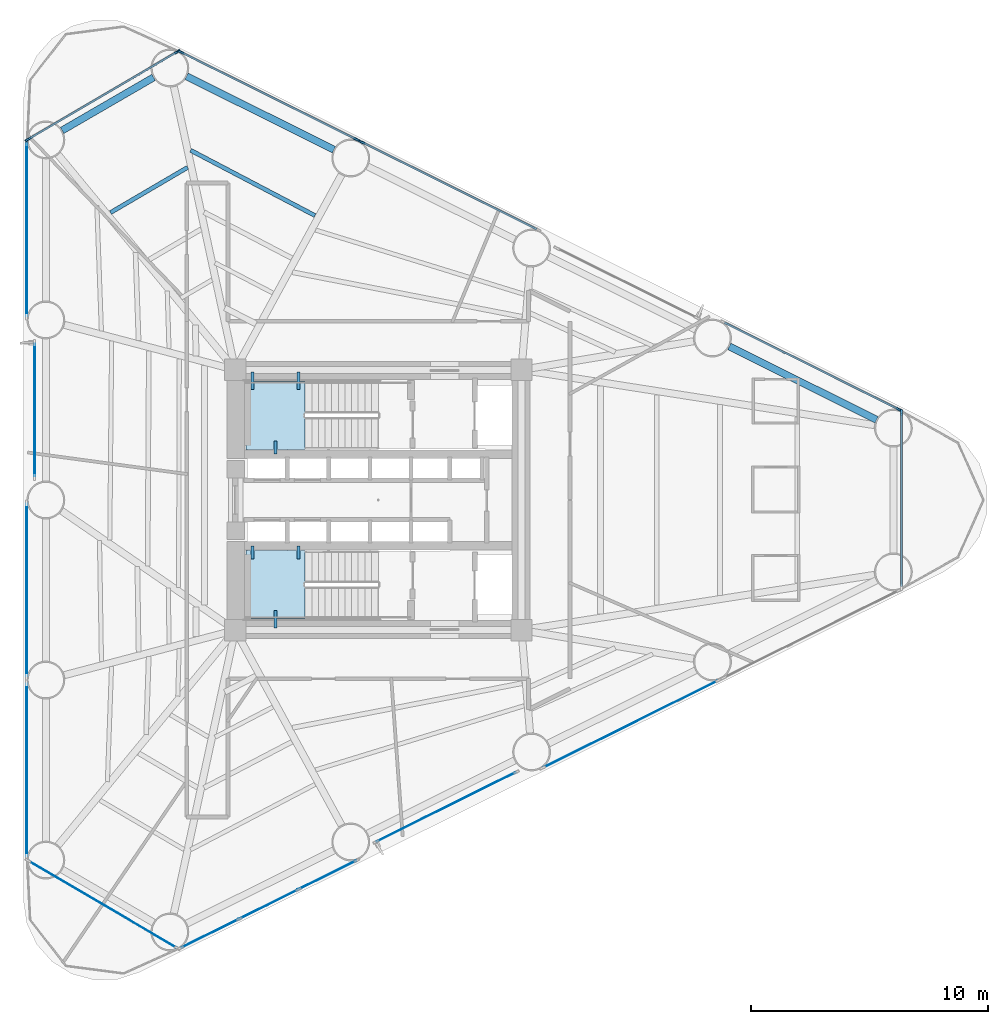
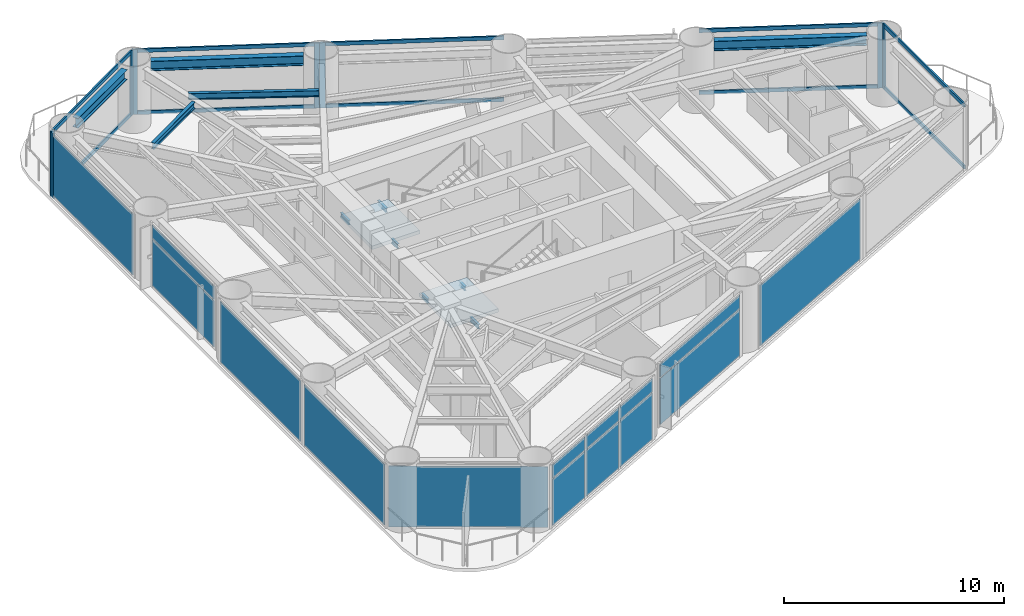
# One storey, part 4 of 10: 18 members, 15 plates, 11 beams, 2 slabs, 15 elements without a shape of their own.
"""IFC4 building model written with IfcOpenShell, lengths in metres."""

from ifc_helpers import new_model, si_unit, direction, frame, origin, origin_2d, place, context, subcontext, project, spatial, polyline, rectangle, i_section, outline, extrude, source, transform, mapped, material, layer, layer_set, material_profile, profile_set, type_object, element, aggregate, save


model = new_model("IFC4")

# Units and contexts
model_context = context("Model", 3, precision=1e-05, world=origin(), true_north=direction((0.0, 1.0)))
body_context = subcontext(model_context, "Body", "Model", "MODEL_VIEW")
ifc_project = project(units=[si_unit("LENGTHUNIT", "METRE"), si_unit("AREAUNIT", "SQUARE_METRE"), si_unit("VOLUMEUNIT", "CUBIC_METRE"), si_unit("PLANEANGLEUNIT", "RADIAN"), si_unit("MASSUNIT", "GRAM", prefix="KILO")], contexts=[model_context])

# Site, building, storey
site_placement = place(None, origin())
site = spatial("IfcSite", under=ifc_project, at=site_placement, CompositionType="ELEMENT")
building_placement = place(site_placement, origin())
building = spatial("IfcBuilding", under=site, at=building_placement, Name="Yunling Apex Tower", CompositionType="ELEMENT")
storey_placement = place(building_placement, frame((0.0, 0.0, 38.60009765625)))
storey = spatial("IfcBuildingStorey", under=building, at=storey_placement, Name="L11", CompositionType="ELEMENT", Elevation=38.60009765625)

# Beams
ifc_material_1 = material(Name="Steel Q355B", Category="steel")
ifc_material_profile_1 = material_profile(ifc_material_1, i_section(OverallWidth=0.125, OverallDepth=0.25, WebThickness=0.006103515625, FlangeThickness=0.009033203125, FilletRadius=0.011962890625, at=origin_2d()))
ifc_profile_set_1 = profile_set([ifc_material_profile_1], Name="Steel Q355B")
beam_type_1 = type_object("IfcBeamType", Name="BL-LNT-1", PredefinedType="LINTEL", material=ifc_profile_set_1)
shared_shape_1 = source(origin(), body_context, "Body", "SweptSolid", [
    extrude(i_section(OverallWidth=0.125, OverallDepth=0.25, WebThickness=0.006103515625, FlangeThickness=0.009033203125, FilletRadius=0.011962890625, at=origin_2d()), origin(), (0.0, 0.0, 1.0), 0.760009765625),
])
for number, where, z_axis, x_axis, name in (
    (1, (-5.320068359375, 5.419921875, 1.52978515625), (0.0, -1.0, 0.0), (1.0, 0.0, 0.0), "L11 ST-1 Landing Bearing Corbel 1-1"),
    (2, (-3.3701171875, 5.419921875, 1.52978515625), (0.0, -1.0, 0.0), (1.0, 0.0, 0.0), "L11 ST-1 Landing Bearing Corbel 1-2"),
    (3, (-4.344970703125, -5.419921875, 1.52978515625), (0.0, 1.0, 0.0), (-1.0, 0.0, 0.0), "L11 ST-2 Landing Bearing Corbel 1-3"),
):
    element("IfcBeam", number, at=place(storey_placement, frame(where, z_axis=z_axis, x_axis=x_axis)), inside=storey, type_object=beam_type_1, Name=name, PredefinedType="LINTEL", context=body_context, shape_type="MappedRepresentation", body=[
        mapped(shared_shape_1, transform((0.0, 0.0, 0.0), scale=1.0)),
    ])
shared_shape_2 = source(origin(), body_context, "Body", "SweptSolid", [
    extrude(i_section(OverallWidth=0.125, OverallDepth=0.25, WebThickness=0.006103515625, FlangeThickness=0.009033203125, FilletRadius=0.011962890625, at=origin_2d()), origin(), (0.0, 0.0, 1.0), 0.550048828125),
])
for number, where, z_axis, x_axis, name in (
    (4, (-4.344970703125, 1.93994140625, 1.52978515625), (0.0, 1.0, 0.0), (-1.0, 0.0, 0.0), "L11 ST-1 Landing Bearing Corbel 1-3"),
    (5, (-5.320068359375, -1.93994140625, 1.52978515625), (0.0, -1.0, 0.0), (1.0, 0.0, 0.0), "L11 ST-2 Landing Bearing Corbel 1-1"),
    (6, (-3.3701171875, -1.93994140625, 1.52978515625), (0.0, -1.0, 0.0), (1.0, 0.0, 0.0), "L11 ST-2 Landing Bearing Corbel 1-2"),
):
    element("IfcBeam", number, at=place(storey_placement, frame(where, z_axis=z_axis, x_axis=x_axis)), inside=storey, type_object=beam_type_1, Name=name, PredefinedType="LINTEL", context=body_context, shape_type="MappedRepresentation", body=[
        mapped(shared_shape_2, transform((0.0, 0.0, 0.0), scale=1.0)),
    ])
ifc_material_profile_2 = material_profile(ifc_material_1, i_section(OverallWidth=0.300048828125, OverallDepth=0.5400390625, WebThickness=0.011962890625, FlangeThickness=0.02001953125, FilletRadius=0.02392578125, at=origin_2d()))
ifc_profile_set_2 = profile_set([ifc_material_profile_2], Name="Steel Q355B")
beam_type_2 = type_object("IfcBeamType", Name="BP-SPN-1", PredefinedType="SPANDREL", material=ifc_profile_set_2)
shared_shape_3 = source(origin(), body_context, "Body", "SweptSolid", [
    extrude(i_section(OverallWidth=0.300048828125, OverallDepth=0.5400390625, WebThickness=0.011962890625, FlangeThickness=0.02001953125, FilletRadius=0.02392578125, at=origin_2d()), origin(), (0.0, 0.0, 1.0), 6.950927734375),
])
for number, where, z_axis, x_axis, name in (
    (7, (21.055419921875, 3.392578125, 3.244873046875), (-0.895247556401, 0.445569088646, 0.0), (-0.445569088646, -0.895247556401, 0.0), "L11 Perimeter Spandrel Beam 6"),
    (8, (-1.8779296875, 14.806884765625, 3.244873046875), (-0.89524058306, 0.445583099368, 0.0), (-0.445583099368, -0.89524058306, 0.0), "L11 Perimeter Spandrel Beam 9"),
):
    element("IfcBeam", number, at=place(storey_placement, frame(where, z_axis=z_axis, x_axis=x_axis)), inside=storey, type_object=beam_type_2, Name=name, PredefinedType="SPANDREL", context=body_context, shape_type="MappedRepresentation", body=[
        mapped(shared_shape_3, transform((0.0, 0.0, 0.0), scale=1.0)),
    ])
shared_shape_4 = source(origin(), body_context, "Body", "SweptSolid", [
    extrude(i_section(OverallWidth=0.300048828125, OverallDepth=0.5400390625, WebThickness=0.011962890625, FlangeThickness=0.02001953125, FilletRadius=0.02392578125, at=origin_2d()), origin(), (0.0, 0.0, 1.0), 4.469970703125),
])
beam_1_placement = place(storey_placement, frame((-9.498291015625, 17.859619140625, 3.244873046875), z_axis=(-0.865055841155, -0.501675584102, 0.0), x_axis=(0.501675584102, -0.865055841155, 0.0)))
element("IfcBeam", 9, at=beam_1_placement, inside=storey, type_object=beam_type_2, Name="L11 Perimeter Spandrel Beam 10", PredefinedType="SPANDREL", context=body_context, shape_type="MappedRepresentation", body=[
    mapped(shared_shape_4, transform((0.0, 0.0, 0.0), scale=1.0)),
])
ifc_material_profile_3 = material_profile(ifc_material_1, i_section(OverallWidth=0.175048828125, OverallDepth=0.35009765625, WebThickness=0.007080078125, FlangeThickness=0.010986328125, FilletRadius=0.013916015625, at=origin_2d()))
ifc_profile_set_3 = profile_set([ifc_material_profile_3], Name="Steel Q355B")
beam_type_3 = type_object("IfcBeamType", Name="BJ-JST-1", PredefinedType="JOIST", material=ifc_profile_set_3)
shared_shape_5 = source(origin(), body_context, "Body", "SweptSolid", [
    extrude(i_section(OverallWidth=0.175048828125, OverallDepth=0.35009765625, WebThickness=0.007080078125, FlangeThickness=0.010986328125, FilletRadius=0.013916015625, at=origin_2d()), origin(), (0.0, 0.0, 1.0), 5.935791015625),
])
beam_2_placement = place(storey_placement, frame((-2.676513671875, 12.02001953125, 3.33984375), z_axis=(-0.885494794786, 0.464649296144, 0.0), x_axis=(-0.464649296144, -0.885494794786, 0.0)))
element("IfcBeam", 10, at=beam_2_placement, inside=storey, type_object=beam_type_3, Name="L11 Composite Floor Joist BJ1-9", PredefinedType="JOIST", context=body_context, shape_type="MappedRepresentation", body=[
    mapped(shared_shape_5, transform((0.0, 0.0, 0.0), scale=1.0)),
])
shared_shape_6 = source(origin(), body_context, "Body", "SweptSolid", [
    extrude(i_section(OverallWidth=0.175048828125, OverallDepth=0.35009765625, WebThickness=0.007080078125, FlangeThickness=0.010986328125, FilletRadius=0.013916015625, at=origin_2d()), origin(), (0.0, 0.0, 1.0), 3.77880859375),
])
beam_3_placement = place(storey_placement, frame((-8.05810546875, 14.05810546875, 3.33984375), z_axis=(-0.862642562353, -0.50581400694, 0.0), x_axis=(0.50581400694, -0.862642562353, 0.0)))
element("IfcBeam", 11, at=beam_3_placement, inside=storey, type_object=beam_type_3, Name="L11 Composite Floor Joist BJ1-10", PredefinedType="JOIST", context=body_context, shape_type="MappedRepresentation", body=[
    mapped(shared_shape_6, transform((0.0, 0.0, 0.0), scale=1.0)),
])

# Curtain wall, member
ifc_material_2 = material(Name="Bronze anodised aluminium", Category="aluminium")
ifc_layer_1 = layer(ifc_material_2, 0.260009765625)
ifc_layer_set_1 = layer_set([ifc_layer_1], Name="Bronze anodised aluminium")
curtain_wall_type = type_object("IfcCurtainWallType", Name="CW-SYS-2", PredefinedType="NOTDEFINED", material=ifc_layer_set_1)
curtain_wall_1_placement = place(storey_placement, origin())
curtain_wall_1 = element("IfcCurtainWall", 12, at=curtain_wall_1_placement, inside=storey, type_object=curtain_wall_type, Name="CW-L11-CRN1", PredefinedType="NOTDEFINED")
ifc_material_profile_4 = material_profile(ifc_material_2, rectangle(XDim=0.0849609375, YDim=0.260009765625, at=origin_2d()))
ifc_profile_set_4 = profile_set([ifc_material_profile_4], Name="Bronze anodised aluminium")
member_type_1 = type_object("IfcMemberType", Name="CW-MUL-2", PredefinedType="MULLION", material=ifc_profile_set_4)
shared_shape_7 = source(origin(), body_context, "Body", "SweptSolid", [
    extrude(rectangle(XDim=0.0849609375, YDim=0.260009765625, at=origin_2d()), origin(), (0.0, 0.0, 1.0), 3.614990234375),
])
member_1_placement = place(storey_placement, frame((22.1181640625, 3.70361328125, -0.050048828125), z_axis=(0.0, 0.0, 1.0), x_axis=(-1.0, 0.0, 0.0)))
member_1 = element("IfcMember", 13, at=member_1_placement, type_object=member_type_1, Name="CW-SYS-2 mullion 2", PredefinedType="MULLION", context=body_context, shape_type="MappedRepresentation", body=[
    mapped(shared_shape_7, transform((0.0, 0.0, 0.0), scale=1.0)),
])

curtain_wall_2_placement = place(storey_placement, origin())
curtain_wall_2 = element("IfcCurtainWall", 14, at=curtain_wall_2_placement, inside=storey, type_object=curtain_wall_type, Name="CW-L11-F2-B1", PredefinedType="NOTDEFINED")
member_2_placement = place(storey_placement, frame((22.017333984375, 3.818603515625, -0.050048828125), z_axis=(0.0, 0.0, 1.0), x_axis=(-0.445580190214, -0.895242031011, 0.0)))
member_2 = element("IfcMember", 15, at=member_2_placement, type_object=member_type_1, Name="CW-SYS-2 mullion 1", PredefinedType="MULLION", context=body_context, shape_type="MappedRepresentation", body=[
    mapped(shared_shape_7, transform((0.0, 0.0, 0.0), scale=1.0)),
])

curtain_wall_3_placement = place(storey_placement, origin())
curtain_wall_3 = element("IfcCurtainWall", 16, at=curtain_wall_3_placement, inside=storey, type_object=curtain_wall_type, Name="CW-L11-F2-B3", PredefinedType="NOTDEFINED")
member_3_placement = place(storey_placement, frame((-0.696533203125, 15.123779296875, -0.050048828125), z_axis=(0.0, 0.0, 1.0), x_axis=(-0.445580190214, -0.895242031011, 0.0)))
member_3 = element("IfcMember", 17, at=member_3_placement, type_object=member_type_1, Name="CW-SYS-2 mullion 2", PredefinedType="MULLION", context=body_context, shape_type="MappedRepresentation", body=[
    mapped(shared_shape_7, transform((0.0, 0.0, 0.0), scale=1.0)),
])

# Curtain wall, members
curtain_wall_4_placement = place(storey_placement, origin())
curtain_wall_4 = element("IfcCurtainWall", 18, at=curtain_wall_4_placement, inside=storey, type_object=curtain_wall_type, Name="CW-L11-F2-B4", PredefinedType="NOTDEFINED")
member_4_placement = place(storey_placement, frame((-0.915771484375, 15.23291015625, -0.050048828125), z_axis=(0.0, 0.0, 1.0), x_axis=(-0.445570625003, -0.895246791748, 0.0)))
member_4 = element("IfcMember", 19, at=member_4_placement, type_object=member_type_1, Name="CW-SYS-2 mullion 1", PredefinedType="MULLION", context=body_context, shape_type="MappedRepresentation", body=[
    mapped(shared_shape_7, transform((0.0, 0.0, 0.0), scale=1.0)),
])
member_5_placement = place(storey_placement, frame((-8.341064453125, 18.928466796875, -0.050048828125), z_axis=(0.0, 0.0, 1.0), x_axis=(-0.445570625003, -0.895246791748, 0.0)))
member_5 = element("IfcMember", 20, at=member_5_placement, type_object=member_type_1, Name="CW-SYS-2 mullion 2", PredefinedType="MULLION", context=body_context, shape_type="MappedRepresentation", body=[
    mapped(shared_shape_7, transform((0.0, 0.0, 0.0), scale=1.0)),
])

curtain_wall_5_placement = place(storey_placement, origin())
curtain_wall_5 = element("IfcCurtainWall", 21, at=curtain_wall_5_placement, inside=storey, type_object=curtain_wall_type, Name="CW-L11-CRN2", PredefinedType="NOTDEFINED")
member_6_placement = place(storey_placement, frame((-8.49609375, 18.943603515625, -0.050048828125), z_axis=(0.0, 0.0, 1.0), x_axis=(0.506195543811, -0.86241873323, 0.0)))
member_6 = element("IfcMember", 22, at=member_6_placement, type_object=member_type_1, Name="CW-SYS-2 mullion 1", PredefinedType="MULLION", context=body_context, shape_type="MappedRepresentation", body=[
    mapped(shared_shape_7, transform((0.0, 0.0, 0.0), scale=1.0)),
])
member_7_placement = place(storey_placement, frame((-14.805419921875, 15.240478515625, -0.050048828125), z_axis=(0.0, 0.0, 1.0), x_axis=(0.506195543811, -0.86241873323, 0.0)))
member_7 = element("IfcMember", 23, at=member_7_placement, type_object=member_type_1, Name="CW-SYS-2 mullion 2", PredefinedType="MULLION", context=body_context, shape_type="MappedRepresentation", body=[
    mapped(shared_shape_7, transform((0.0, 0.0, 0.0), scale=1.0)),
])

# Curtain wall, member
curtain_wall_6_placement = place(storey_placement, origin())
curtain_wall_6 = element("IfcCurtainWall", 24, at=curtain_wall_6_placement, inside=storey, type_object=curtain_wall_type, Name="CW-L11-F3-B1", PredefinedType="NOTDEFINED")
member_8_placement = place(storey_placement, frame((-14.862060546875, 15.096435546875, -0.050048828125), z_axis=(0.0, 0.0, 1.0), x_axis=(1.0, 0.0, 0.0)))
member_8 = element("IfcMember", 25, at=member_8_placement, type_object=member_type_1, Name="CW-SYS-2 mullion 1", PredefinedType="MULLION", context=body_context, shape_type="MappedRepresentation", body=[
    mapped(shared_shape_7, transform((0.0, 0.0, 0.0), scale=1.0)),
])

# Member
ifc_material_profile_5 = material_profile(ifc_material_2, rectangle(XDim=0.0849609375, YDim=0.199951171875, at=origin_2d()))
ifc_profile_set_5 = profile_set([ifc_material_profile_5], Name="Bronze anodised aluminium")
member_type_2 = type_object("IfcMemberType", Name="CW-TRN-2", PredefinedType="USERDEFINED", material=ifc_profile_set_5)
shared_shape_8 = source(origin(), body_context, "Body", "SweptSolid", [
    extrude(rectangle(XDim=0.0849609375, YDim=0.199951171875, at=origin_2d()), origin(), (0.0, 0.0, 1.0), 8.217529296875),
])
member_9_placement = place(storey_placement, frame((6.6943359375, 11.445068359375, 0.04248046875), z_axis=(-0.895239752613, 0.445584767852, 0.0), x_axis=(-0.445584767852, -0.895239752613, 0.0)))
member_9 = element("IfcMember", 26, at=member_9_placement, type_object=member_type_2, Name="CW-SYS-2 transom 1.1", ObjectType="TRANSOM", PredefinedType="USERDEFINED", context=body_context, shape_type="MappedRepresentation", body=[
    mapped(shared_shape_8, transform((0.0, 0.0, 0.0), scale=1.0)),
])

member_10_placement = place(storey_placement, frame((6.6943359375, 11.445068359375, 3.472412109375), z_axis=(-0.895239752613, 0.445584767852, 0.0), x_axis=(-0.445584767852, -0.895239752613, 0.0)))
member_10 = element("IfcMember", 27, at=member_10_placement, type_object=member_type_2, Name="CW-SYS-2 transom 1.2", ObjectType="TRANSOM", PredefinedType="USERDEFINED", context=body_context, shape_type="MappedRepresentation", body=[
    mapped(shared_shape_8, transform((0.0, 0.0, 0.0), scale=1.0)),
])

aggregate(curtain_wall_3, [member_3, member_9, member_10])

shared_shape_9 = source(origin(), body_context, "Body", "SweptSolid", [
    extrude(rectangle(XDim=0.0849609375, YDim=0.199951171875, at=origin_2d()), origin(), (0.0, 0.0, 1.0), 8.21728515625),
])
member_11_placement = place(storey_placement, frame((21.983154296875, 3.835693359375, 0.04248046875), z_axis=(-0.895245705371, 0.445572807761, 0.0), x_axis=(-0.445572807761, -0.895245705371, 0.0)))
member_11 = element("IfcMember", 28, at=member_11_placement, type_object=member_type_2, Name="CW-SYS-2 transom 1.1", ObjectType="TRANSOM", PredefinedType="USERDEFINED", context=body_context, shape_type="MappedRepresentation", body=[
    mapped(shared_shape_9, transform((0.0, 0.0, 0.0), scale=1.0)),
])

member_12_placement = place(storey_placement, frame((21.983154296875, 3.835693359375, 3.472412109375), z_axis=(-0.895245705371, 0.445572807761, 0.0), x_axis=(-0.445572807761, -0.895245705371, 0.0)))
member_12 = element("IfcMember", 29, at=member_12_placement, type_object=member_type_2, Name="CW-SYS-2 transom 1.2", ObjectType="TRANSOM", PredefinedType="USERDEFINED", context=body_context, shape_type="MappedRepresentation", body=[
    mapped(shared_shape_9, transform((0.0, 0.0, 0.0), scale=1.0)),
])

aggregate(curtain_wall_2, [member_2, member_11, member_12])

member_13_placement = place(storey_placement, frame((-0.9501953125, 15.25, 0.04248046875), z_axis=(-0.895245705371, 0.445572807761, 0.0), x_axis=(-0.445572807761, -0.895245705371, 0.0)))
member_13 = element("IfcMember", 30, at=member_13_placement, type_object=member_type_2, Name="CW-SYS-2 transom 1.1", ObjectType="TRANSOM", PredefinedType="USERDEFINED", context=body_context, shape_type="MappedRepresentation", body=[
    mapped(shared_shape_9, transform((0.0, 0.0, 0.0), scale=1.0)),
])

member_14_placement = place(storey_placement, frame((-0.9501953125, 15.25, 3.472412109375), z_axis=(-0.895245705371, 0.445572807761, 0.0), x_axis=(-0.445572807761, -0.895245705371, 0.0)))
member_14 = element("IfcMember", 31, at=member_14_placement, type_object=member_type_2, Name="CW-SYS-2 transom 1.2", ObjectType="TRANSOM", PredefinedType="USERDEFINED", context=body_context, shape_type="MappedRepresentation", body=[
    mapped(shared_shape_9, transform((0.0, 0.0, 0.0), scale=1.0)),
])

aggregate(curtain_wall_4, [member_4, member_5, member_13, member_14])

shared_shape_10 = source(origin(), body_context, "Body", "SweptSolid", [
    extrude(rectangle(XDim=0.0849609375, YDim=0.199951171875, at=origin_2d()), origin(), (0.0, 0.0, 1.0), 7.33056640625),
])
member_15_placement = place(storey_placement, frame((22.1181640625, -3.665283203125, 0.04248046875), z_axis=(0.0, 1.0, 0.0), x_axis=(-1.0, 0.0, 0.0)))
member_15 = element("IfcMember", 32, at=member_15_placement, type_object=member_type_2, Name="CW-SYS-2 transom 1.1", ObjectType="TRANSOM", PredefinedType="USERDEFINED", context=body_context, shape_type="MappedRepresentation", body=[
    mapped(shared_shape_10, transform((0.0, 0.0, 0.0), scale=1.0)),
])

member_16_placement = place(storey_placement, frame((22.1181640625, -3.665283203125, 3.472412109375), z_axis=(0.0, 1.0, 0.0), x_axis=(-1.0, 0.0, 0.0)))
member_16 = element("IfcMember", 33, at=member_16_placement, type_object=member_type_2, Name="CW-SYS-2 transom 1.2", ObjectType="TRANSOM", PredefinedType="USERDEFINED", context=body_context, shape_type="MappedRepresentation", body=[
    mapped(shared_shape_10, transform((0.0, 0.0, 0.0), scale=1.0)),
])

aggregate(curtain_wall_1, [member_1, member_15, member_16])

shared_shape_11 = source(origin(), body_context, "Body", "SweptSolid", [
    extrude(rectangle(XDim=0.0849609375, YDim=0.199951171875, at=origin_2d()), origin(), (0.0, 0.0, 1.0), 7.239501953125),
])
member_17_placement = place(storey_placement, frame((-8.529052734375, 18.92431640625, 0.04248046875), z_axis=(-0.862419304353, -0.506194570772, 0.0), x_axis=(0.506194570772, -0.862419304353, 0.0)))
member_17 = element("IfcMember", 34, at=member_17_placement, type_object=member_type_2, Name="CW-SYS-2 transom 1.1", ObjectType="TRANSOM", PredefinedType="USERDEFINED", context=body_context, shape_type="MappedRepresentation", body=[
    mapped(shared_shape_11, transform((0.0, 0.0, 0.0), scale=1.0)),
])

member_18_placement = place(storey_placement, frame((-8.529052734375, 18.92431640625, 3.472412109375), z_axis=(-0.862419304353, -0.506194570772, 0.0), x_axis=(0.506194570772, -0.862419304353, 0.0)))
member_18 = element("IfcMember", 35, at=member_18_placement, type_object=member_type_2, Name="CW-SYS-2 transom 1.2", ObjectType="TRANSOM", PredefinedType="USERDEFINED", context=body_context, shape_type="MappedRepresentation", body=[
    mapped(shared_shape_11, transform((0.0, 0.0, 0.0), scale=1.0)),
])

aggregate(curtain_wall_5, [member_6, member_7, member_17, member_18])

# Stair, slab
ifc_material_3 = material(Name="Concrete C40", Category="concrete")
stair_type = type_object("IfcStairType", Name="ST-TWR-1", PredefinedType="HALF_TURN_STAIR", material=ifc_material_3)
stair_1_placement = place(storey_placement, origin())
stair_1 = element("IfcStair", 36, at=stair_1_placement, inside=storey, type_object=stair_type, Name="L11 North Core Smokeproof Exit Stair ST-1", PredefinedType="HALF_TURN_STAIR")
ifc_layer_2 = layer(ifc_material_3, 0.195068359375)
ifc_layer_set_2 = layer_set([ifc_layer_2], Name="Concrete C40")
slab_type = type_object("IfcSlabType", Name="SL-LND-1", PredefinedType="LANDING", material=ifc_layer_set_2)
slab_1_placement = place(storey_placement, frame((0.0, 0.0, 1.65478515625)))
slab_1 = element("IfcSlab", 37, at=slab_1_placement, type_object=slab_type, Name="ST-1 landing 1", PredefinedType="LANDING", context=body_context, shape_type="SweptSolid", body=[
    extrude(outline(polyline([(-3.090087890625, 5.010009765625), (-5.60009765625, 5.010009765625), (-5.60009765625, 2.139892578125), (-3.090087890625, 2.139892578125), (-3.090087890625, 5.010009765625)])), origin(), (0.0, 0.0, 1.0), 0.195068359375),
])
aggregate(stair_1, [slab_1])

stair_2_placement = place(storey_placement, origin())
stair_2 = element("IfcStair", 38, at=stair_2_placement, inside=storey, type_object=stair_type, Name="L11 South Core Smokeproof Exit Stair ST-2", PredefinedType="HALF_TURN_STAIR")
slab_2_placement = place(storey_placement, frame((0.0, 0.0, 1.65478515625)))
slab_2 = element("IfcSlab", 39, at=slab_2_placement, type_object=slab_type, Name="ST-2 landing 1", PredefinedType="LANDING", context=body_context, shape_type="SweptSolid", body=[
    extrude(outline(polyline([(-3.090087890625, -2.139892578125), (-5.60009765625, -2.139892578125), (-5.60009765625, -5.010009765625), (-3.090087890625, -5.010009765625), (-3.090087890625, -2.139892578125)])), origin(), (0.0, 0.0, 1.0), 0.195068359375),
])
aggregate(stair_2, [slab_2])

# Curtain wall, plates
curtain_wall_7_placement = place(storey_placement, origin())
curtain_wall_7 = element("IfcCurtainWall", 40, at=curtain_wall_7_placement, inside=storey, type_object=curtain_wall_type, Name="CW-L11-F1-B1", PredefinedType="NOTDEFINED")
ifc_material_4 = material(Name="Bronze tinted low-E glass", Category="glass")
ifc_layer_3 = layer(ifc_material_4, 0.033935546875)
ifc_layer_set_3 = layer_set([ifc_layer_3], Name="Bronze tinted low-E glass")
plate_type = type_object("IfcPlateType", Name="CW-PNL-2", PredefinedType="CURTAIN_PANEL", material=ifc_layer_set_3)
shared_shape_12 = source(origin(), body_context, "Body", "SweptSolid", [
    extrude(rectangle(XDim=2.681884765625, YDim=0.033935546875, at=origin_2d()), origin(), (0.0, 0.0, 1.0), 2.560302734375),
])
plate_1_placement = place(storey_placement, frame((-7.10986328125, -18.315673828125, 0.07666015625), z_axis=(0.0, 0.0, 1.0), x_axis=(0.895246791748, 0.445570625003, 0.0)))
plate_1 = element("IfcPlate", 41, at=plate_1_placement, type_object=plate_type, Name="CW-SYS-2 panel 1.1", PredefinedType="CURTAIN_PANEL", context=body_context, shape_type="MappedRepresentation", body=[
    mapped(shared_shape_12, transform((0.0, 0.0, 0.0), scale=1.0)),
])
plate_2_placement = place(storey_placement, frame((-2.14697265625, -15.845703125, 0.07666015625), z_axis=(0.0, 0.0, 1.0), x_axis=(0.895246791748, 0.445570625003, 0.0)))
plate_2 = element("IfcPlate", 42, at=plate_2_placement, type_object=plate_type, Name="CW-SYS-2 panel 3.1", PredefinedType="CURTAIN_PANEL", context=body_context, shape_type="MappedRepresentation", body=[
    mapped(shared_shape_12, transform((0.0, 0.0, 0.0), scale=1.0)),
])
shared_shape_13 = source(origin(), body_context, "Body", "SweptSolid", [
    extrude(rectangle(XDim=2.681884765625, YDim=0.033935546875, at=origin_2d()), origin(), (0.0, 0.0, 1.0), 0.732666015625),
])
plate_3_placement = place(storey_placement, frame((-7.10986328125, -18.315673828125, 2.70556640625), z_axis=(0.0, 0.0, 1.0), x_axis=(0.895246791748, 0.445570625003, 0.0)))
plate_3 = element("IfcPlate", 43, at=plate_3_placement, type_object=plate_type, Name="CW-SYS-2 panel 1.2", PredefinedType="CURTAIN_PANEL", context=body_context, shape_type="MappedRepresentation", body=[
    mapped(shared_shape_13, transform((0.0, 0.0, 0.0), scale=1.0)),
])
plate_4_placement = place(storey_placement, frame((-2.14697265625, -15.845703125, 2.70556640625), z_axis=(0.0, 0.0, 1.0), x_axis=(0.895246791748, 0.445570625003, 0.0)))
plate_4 = element("IfcPlate", 44, at=plate_4_placement, type_object=plate_type, Name="CW-SYS-2 panel 3.2", PredefinedType="CURTAIN_PANEL", context=body_context, shape_type="MappedRepresentation", body=[
    mapped(shared_shape_13, transform((0.0, 0.0, 0.0), scale=1.0)),
])
shared_shape_14 = source(origin(), body_context, "Body", "SweptSolid", [
    extrude(rectangle(XDim=2.724365234375, YDim=0.033935546875, at=origin_2d()), origin(), (0.0, 0.0, 1.0), 2.560302734375),
])
plate_5_placement = place(storey_placement, frame((-4.62841796875, -17.08056640625, 0.07666015625), z_axis=(0.0, 0.0, 1.0), x_axis=(0.895246791748, 0.445570625003, 0.0)))
plate_5 = element("IfcPlate", 45, at=plate_5_placement, type_object=plate_type, Name="CW-SYS-2 panel 2.1", PredefinedType="CURTAIN_PANEL", context=body_context, shape_type="MappedRepresentation", body=[
    mapped(shared_shape_14, transform((0.0, 0.0, 0.0), scale=1.0)),
])
shared_shape_15 = source(origin(), body_context, "Body", "SweptSolid", [
    extrude(rectangle(XDim=2.724365234375, YDim=0.033935546875, at=origin_2d()), origin(), (0.0, 0.0, 1.0), 0.732666015625),
])
plate_6_placement = place(storey_placement, frame((-4.62841796875, -17.08056640625, 2.70556640625), z_axis=(0.0, 0.0, 1.0), x_axis=(0.895246791748, 0.445570625003, 0.0)))
plate_6 = element("IfcPlate", 46, at=plate_6_placement, type_object=plate_type, Name="CW-SYS-2 panel 2.2", PredefinedType="CURTAIN_PANEL", context=body_context, shape_type="MappedRepresentation", body=[
    mapped(shared_shape_15, transform((0.0, 0.0, 0.0), scale=1.0)),
])
aggregate(curtain_wall_7, [plate_1, plate_3, plate_5, plate_6, plate_2, plate_4])

# Curtain wall, plate
curtain_wall_8_placement = place(storey_placement, origin())
curtain_wall_8 = element("IfcCurtainWall", 47, at=curtain_wall_8_placement, inside=storey, type_object=curtain_wall_type, Name="CW-L11-F1-B3", PredefinedType="NOTDEFINED")
shared_shape_16 = source(origin(), body_context, "Body", "SweptSolid", [
    extrude(rectangle(XDim=8.225341796875, YDim=0.033935546875, at=origin_2d()), origin(), (0.0, 0.0, 1.0), 3.361572265625),
])
plate_7_placement = place(storey_placement, frame((10.660400390625, -9.47119140625, 0.07666015625), z_axis=(0.0, 0.0, 1.0), x_axis=(0.895246791748, 0.445570625003, 0.0)))
plate_7 = element("IfcPlate", 48, at=plate_7_placement, type_object=plate_type, Name="CW-SYS-2 panel 1.1", PredefinedType="CURTAIN_PANEL", context=body_context, shape_type="MappedRepresentation", body=[
    mapped(shared_shape_16, transform((0.0, 0.0, 0.0), scale=1.0)),
])
aggregate(curtain_wall_8, [plate_7])

curtain_wall_9_placement = place(storey_placement, origin())
curtain_wall_9 = element("IfcCurtainWall", 49, at=curtain_wall_9_placement, inside=storey, type_object=curtain_wall_type, Name="CW-L11-CRN3", PredefinedType="NOTDEFINED")
shared_shape_17 = source(origin(), body_context, "Body", "SweptSolid", [
    extrude(rectangle(XDim=7.247314453125, YDim=0.033935546875, at=origin_2d()), origin(), (0.0, 0.0, 1.0), 3.361572265625),
])
plate_8_placement = place(storey_placement, frame((-11.650634765625, -17.092041015625, 0.07666015625), z_axis=(0.0, 0.0, 1.0), x_axis=(0.86241873323, -0.506195543811, 0.0)))
plate_8 = element("IfcPlate", 50, at=plate_8_placement, type_object=plate_type, Name="CW-SYS-2 panel 1.1", PredefinedType="CURTAIN_PANEL", context=body_context, shape_type="MappedRepresentation", body=[
    mapped(shared_shape_17, transform((0.0, 0.0, 0.0), scale=1.0)),
])
aggregate(curtain_wall_9, [plate_8])

# Plate
shared_shape_18 = source(origin(), body_context, "Body", "SweptSolid", [
    extrude(rectangle(XDim=7.2958984375, YDim=0.033935546875, at=origin_2d()), origin(), (0.0, 0.0, 1.0), 3.361572265625),
])
plate_9_placement = place(storey_placement, frame((-14.862060546875, 11.414306640625, 0.07666015625), z_axis=(0.0, 0.0, 1.0), x_axis=(0.0, -1.0, 0.0)))
plate_9 = element("IfcPlate", 51, at=plate_9_placement, type_object=plate_type, Name="CW-SYS-2 panel 1.1", PredefinedType="CURTAIN_PANEL", context=body_context, shape_type="MappedRepresentation", body=[
    mapped(shared_shape_18, transform((0.0, 0.0, 0.0), scale=1.0)),
])

aggregate(curtain_wall_6, [member_8, plate_9])

# Curtain wall, plate
curtain_wall_10_placement = place(storey_placement, origin())
curtain_wall_10 = element("IfcCurtainWall", 52, at=curtain_wall_10_placement, inside=storey, type_object=curtain_wall_type, Name="CW-L11-F3-B3", PredefinedType="NOTDEFINED")
plate_10_placement = place(storey_placement, frame((-14.862060546875, -3.8046875, 0.07666015625), z_axis=(0.0, 0.0, 1.0), x_axis=(0.0, -1.0, 0.0)))
plate_10 = element("IfcPlate", 53, at=plate_10_placement, type_object=plate_type, Name="CW-SYS-2 panel 1.1", PredefinedType="CURTAIN_PANEL", context=body_context, shape_type="MappedRepresentation", body=[
    mapped(shared_shape_18, transform((0.0, 0.0, 0.0), scale=1.0)),
])
aggregate(curtain_wall_10, [plate_10])

curtain_wall_11_placement = place(storey_placement, origin())
curtain_wall_11 = element("IfcCurtainWall", 54, at=curtain_wall_11_placement, inside=storey, type_object=curtain_wall_type, Name="CW-L11-F3-B4", PredefinedType="NOTDEFINED")
plate_11_placement = place(storey_placement, frame((-14.862060546875, -11.414306640625, 0.07666015625), z_axis=(0.0, 0.0, 1.0), x_axis=(0.0, -1.0, 0.0)))
plate_11 = element("IfcPlate", 55, at=plate_11_placement, type_object=plate_type, Name="CW-SYS-2 panel 1.1", PredefinedType="CURTAIN_PANEL", context=body_context, shape_type="MappedRepresentation", body=[
    mapped(shared_shape_18, transform((0.0, 0.0, 0.0), scale=1.0)),
])
aggregate(curtain_wall_11, [plate_11])

# Curtain wall, plates
curtain_wall_12_placement = place(storey_placement, origin())
curtain_wall_12 = element("IfcCurtainWall", 56, at=curtain_wall_12_placement, inside=storey, type_object=curtain_wall_type, Name="CW-L11-F1-B2", PredefinedType="NOTDEFINED")
shared_shape_19 = source(origin(), body_context, "Body", "SweptSolid", [
    extrude(rectangle(XDim=6.545654296875, YDim=0.033935546875, at=origin_2d()), origin(), (0.0, 0.0, 1.0), 2.560302734375),
])
plate_12_placement = place(storey_placement, frame((2.864501953125, -12.971435546875, 0.07666015625), z_axis=(0.0, 0.0, 1.0), x_axis=(0.895240741459, 0.445582781121, 0.0)))
plate_12 = element("IfcPlate", 57, at=plate_12_placement, type_object=plate_type, Name="CW-SYS-2 panel 1.1", PredefinedType="CURTAIN_PANEL", context=body_context, shape_type="MappedRepresentation", body=[
    mapped(shared_shape_19, transform((0.0, 0.0, 0.0), scale=1.0)),
])
shared_shape_20 = source(origin(), body_context, "Body", "SweptSolid", [
    extrude(rectangle(XDim=6.545654296875, YDim=0.033935546875, at=origin_2d()), origin(), (0.0, 0.0, 1.0), 0.732666015625),
])
plate_13_placement = place(storey_placement, frame((2.864501953125, -12.971435546875, 2.70556640625), z_axis=(0.0, 0.0, 1.0), x_axis=(0.895240741459, 0.445582781121, 0.0)))
plate_13 = element("IfcPlate", 58, at=plate_13_placement, type_object=plate_type, Name="CW-SYS-2 panel 1.2", PredefinedType="CURTAIN_PANEL", context=body_context, shape_type="MappedRepresentation", body=[
    mapped(shared_shape_20, transform((0.0, 0.0, 0.0), scale=1.0)),
])
aggregate(curtain_wall_12, [plate_12, plate_13])

curtain_wall_13_placement = place(storey_placement, origin())
curtain_wall_13 = element("IfcCurtainWall", 59, at=curtain_wall_13_placement, inside=storey, type_object=curtain_wall_type, Name="CW-L11-F3-B2", PredefinedType="NOTDEFINED")
shared_shape_21 = source(origin(), body_context, "Body", "SweptSolid", [
    extrude(rectangle(XDim=5.615966796875, YDim=0.033935546875, at=origin_2d()), origin(), (0.0, 0.0, 1.0), 2.560302734375),
])
plate_14_placement = place(storey_placement, frame((-14.52197265625, 3.8046875, 0.07666015625), z_axis=(0.0, 0.0, 1.0), x_axis=(0.0, -1.0, 0.0)))
plate_14 = element("IfcPlate", 60, at=plate_14_placement, type_object=plate_type, Name="CW-SYS-2 panel 1.1", PredefinedType="CURTAIN_PANEL", context=body_context, shape_type="MappedRepresentation", body=[
    mapped(shared_shape_21, transform((0.0, 0.0, 0.0), scale=1.0)),
])
shared_shape_22 = source(origin(), body_context, "Body", "SweptSolid", [
    extrude(rectangle(XDim=5.615966796875, YDim=0.033935546875, at=origin_2d()), origin(), (0.0, 0.0, 1.0), 0.732666015625),
])
plate_15_placement = place(storey_placement, frame((-14.52197265625, 3.8046875, 2.70556640625), z_axis=(0.0, 0.0, 1.0), x_axis=(0.0, -1.0, 0.0)))
plate_15 = element("IfcPlate", 61, at=plate_15_placement, type_object=plate_type, Name="CW-SYS-2 panel 1.2", PredefinedType="CURTAIN_PANEL", context=body_context, shape_type="MappedRepresentation", body=[
    mapped(shared_shape_22, transform((0.0, 0.0, 0.0), scale=1.0)),
])
aggregate(curtain_wall_13, [plate_14, plate_15])

save(model, "model.ifc")
